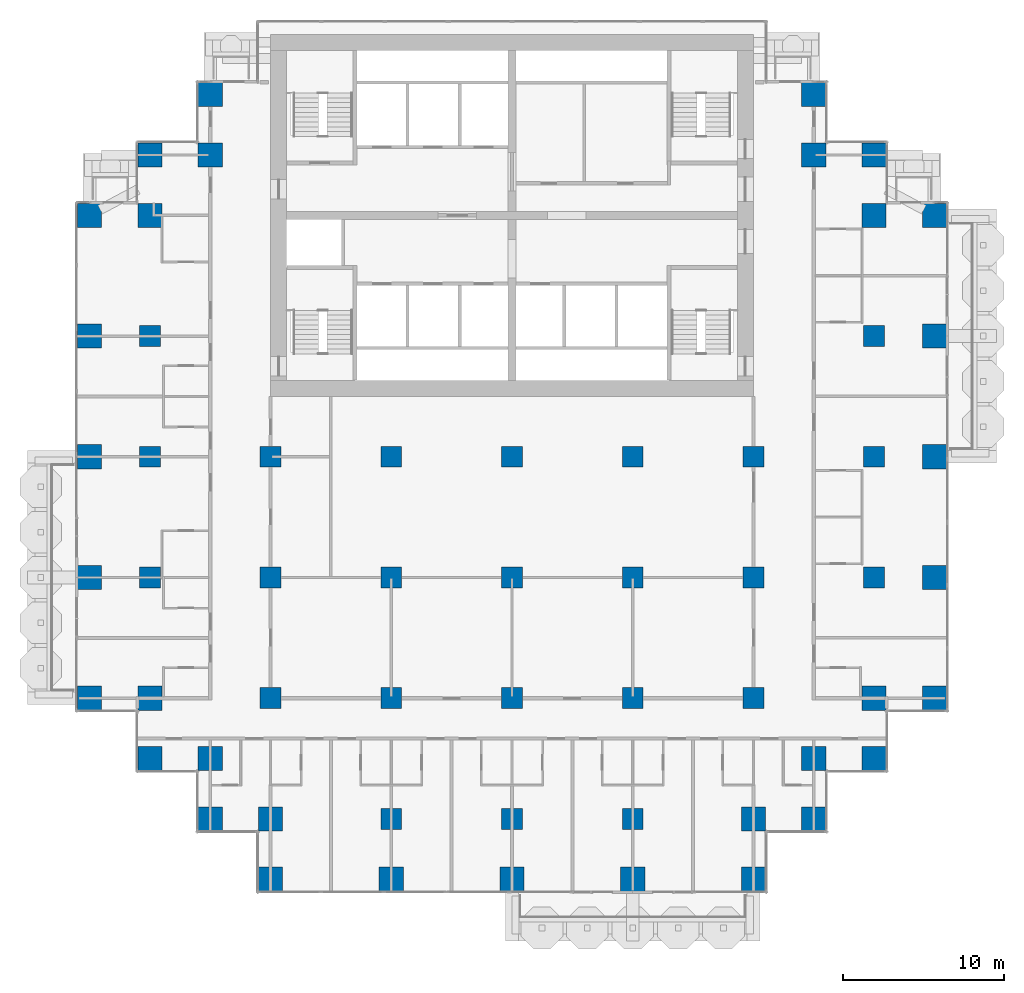
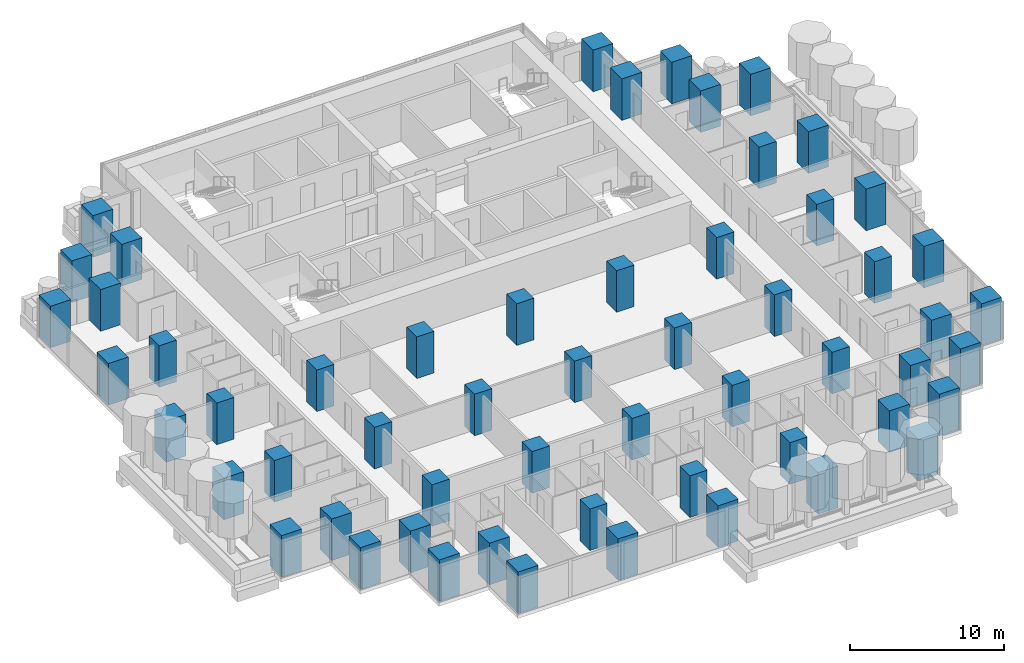
# One storey, part 1 of 19: 57 columns.
"""IFC4 building model written with IfcOpenShell, lengths in metres."""

from ifc_helpers import new_model, si_unit, direction, frame, origin, origin_2d, place, context, subcontext, project, spatial, rectangle, extrude, material, material_profile, profile_set, type_object, element, save


model = new_model("IFC4")

# Units and contexts
model_context = context("Model", 3, precision=1e-05, world=origin(), true_north=direction((0.0, 1.0)))
body_context = subcontext(model_context, "Body", "Model", "MODEL_VIEW")
ifc_project = project(units=[si_unit("LENGTHUNIT", "METRE"), si_unit("AREAUNIT", "SQUARE_METRE"), si_unit("VOLUMEUNIT", "CUBIC_METRE"), si_unit("PLANEANGLEUNIT", "RADIAN"), si_unit("MASSUNIT", "GRAM", prefix="KILO")], contexts=[model_context])

# Site, building, storey
site_placement = place(None, origin())
site = spatial("IfcSite", under=ifc_project, at=site_placement, CompositionType="ELEMENT")
building_placement = place(site_placement, origin())
building = spatial("IfcBuilding", under=site, at=building_placement, Name="Pilkhan Gate Tower", CompositionType="ELEMENT")
storey_placement = place(building_placement, frame((0.0, 0.0, 65.89990234375)))
storey = spatial("IfcBuildingStorey", under=building, at=storey_placement, Name="L14", CompositionType="ELEMENT", Elevation=65.89990234375)

# Columns
ifc_material = material(Name="Concrete C70/85", Category="concrete")
ifc_material_profile_1 = material_profile(ifc_material, rectangle(XDim=1.300048828125, YDim=1.300048828125, at=origin_2d()), Name="RC 1300x1300")
ifc_profile_set_1 = profile_set([ifc_material_profile_1], Name="Concrete C70/85")
column_type_1 = type_object("IfcColumnType", Name="Column C130 RC 1300x1300 C70/85", PredefinedType="COLUMN", material=ifc_profile_set_1)
for number, where, z_axis, x_axis, name in (
    (1, (52.5, 60.0, 0.0), (0.0, 0.0, 1.0), (1.0, 0.0, 0.0), "Column 5/F L14"),
    (2, (52.5, 67.5, 0.0), (0.0, 0.0, 1.0), (1.0, 0.0, 0.0), "Column 5/H L14"),
    (3, (52.5, 75.0, 0.0), (0.0, 0.0, 1.0), (1.0, 0.0, 0.0), "Column 5/K L14"),
    (4, (60.0, 52.5, 0.0), (0.0, 0.0, 1.0), (1.0, 0.0, 0.0), "Column 7/D L14"),
    (5, (60.0, 60.0, 0.0), (0.0, 0.0, 1.0), (1.0, 0.0, 0.0), "Column 7/F L14"),
    (6, (60.0, 67.5, 0.0), (0.0, 0.0, 1.0), (1.0, 0.0, 0.0), "Column 7/H L14"),
    (7, (67.5, 45.0, 0.0), (0.0, 0.0, 1.0), (1.0, 0.0, 0.0), "Column 9/B L14"),
    (8, (67.5, 52.5, 0.0), (0.0, 0.0, 1.0), (1.0, 0.0, 0.0), "Column 9/D L14"),
    (9, (67.5, 60.0, 0.0), (0.0, 0.0, 1.0), (1.0, 0.0, 0.0), "Column 9/F L14"),
    (10, (67.5, 67.5, 0.0), (0.0, 0.0, 1.0), (1.0, 0.0, 0.0), "Column 9/H L14"),
    (11, (75.0, 45.0, 0.0), (0.0, 0.0, 1.0), (1.0, 0.0, 0.0), "Column 11/B L14"),
    (12, (75.0, 52.5, 0.0), (0.0, 0.0, 1.0), (1.0, 0.0, 0.0), "Column 11/D L14"),
    (13, (75.0, 60.0, 0.0), (0.0, 0.0, 1.0), (1.0, 0.0, 0.0), "Column 11/F L14"),
    (14, (75.0, 67.5, 0.0), (0.0, 0.0, 1.0), (1.0, 0.0, 0.0), "Column 11/H L14"),
    (15, (82.5, 45.0, 0.0), (0.0, 0.0, 1.0), (1.0, 0.0, 0.0), "Column 13/B L14"),
    (16, (82.5, 52.5, 0.0), (0.0, 0.0, 1.0), (1.0, 0.0, 0.0), "Column 13/D L14"),
    (17, (82.5, 60.0, 0.0), (0.0, 0.0, 1.0), (1.0, 0.0, 0.0), "Column 13/F L14"),
    (18, (82.5, 67.5, 0.0), (0.0, 0.0, 1.0), (1.0, 0.0, 0.0), "Column 13/H L14"),
    (19, (90.0, 52.5, 0.0), (0.0, 0.0, 1.0), (1.0, 0.0, 0.0), "Column 15/D L14"),
    (20, (90.0, 60.0, 0.0), (0.0, 0.0, 1.0), (1.0, 0.0, 0.0), "Column 15/F L14"),
    (21, (90.0, 67.5, 0.0), (0.0, 0.0, 1.0), (1.0, 0.0, 0.0), "Column 15/H L14"),
    (22, (97.5, 60.0, 0.0), (0.0, 0.0, 1.0), (1.0, 0.0, 0.0), "Column 17/F L14"),
    (23, (97.5, 67.5, 0.0), (0.0, 0.0, 1.0), (1.0, 0.0, 0.0), "Column 17/H L14"),
    (24, (97.5, 75.0, 0.0), (0.0, 0.0, 1.0), (1.0, 0.0, 0.0), "Column 17/K L14"),
):
    element("IfcColumn", number, at=place(storey_placement, frame(where, z_axis=z_axis, x_axis=x_axis)), inside=storey, type_object=column_type_1, Name=name, PredefinedType="COLUMN", context=body_context, shape_type="SweptSolid", body=[
        extrude(rectangle(XDim=1.300048828125, YDim=1.300048828125, at=origin_2d()), origin(), (0.0, 0.0, 1.0), 3.300048828125),
    ])
ifc_material_profile_2 = material_profile(ifc_material, rectangle(XDim=1.5, YDim=1.5, at=origin_2d()), Name="RC 1500x1500")
ifc_profile_set_2 = profile_set([ifc_material_profile_2], Name="Concrete C70/85")
column_type_2 = type_object("IfcColumnType", Name="Column C150 RC 1500x1500 C70/85", PredefinedType="COLUMN", material=ifc_profile_set_2)
for number, where, z_axis, x_axis, name in (
    (25, (48.75, 52.5, 0.0), (0.0, 0.0, 1.0), (1.0, 0.0, 0.0), "Column 4/D L14"),
    (26, (48.75, 60.0, 0.0), (0.0, 0.0, 1.0), (1.0, 0.0, 0.0), "Column 4/F L14"),
    (27, (48.75, 67.5, 0.0), (0.0, 0.0, 1.0), (1.0, 0.0, 0.0), "Column 4/H L14"),
    (28, (48.75, 75.0, 0.0), (0.0, 0.0, 1.0), (1.0, 0.0, 0.0), "Column 4/K L14"),
    (29, (48.75, 82.5, 0.0), (0.0, 0.0, 1.0), (1.0, 0.0, 0.0), "Column 4/M L14"),
    (30, (52.5, 48.75, 0.0), (0.0, 0.0, 1.0), (1.0, 0.0, 0.0), "Column 5/C L14"),
    (31, (52.5, 52.5, 0.0), (0.0, 0.0, 1.0), (1.0, 0.0, 0.0), "Column 5/D L14"),
    (32, (52.5, 82.5, 0.0), (0.0, 0.0, 1.0), (1.0, 0.0, 0.0), "Column 5/M L14"),
    (33, (52.5, 86.25, 0.0), (0.0, 0.0, 1.0), (1.0, 0.0, 0.0), "Column 5/N L14"),
    (34, (56.25, 45.0, 0.0), (0.0, 0.0, 1.0), (1.0, 0.0, 0.0), "Column 6/B L14"),
    (35, (56.25, 48.75, 0.0), (0.0, 0.0, 1.0), (1.0, 0.0, 0.0), "Column 6/C L14"),
    (36, (56.25, 86.25, 0.0), (0.0, 0.0, 1.0), (1.0, 0.0, 0.0), "Column 6/N L14"),
    (37, (56.25, 90.0, 0.0), (0.0, 0.0, 1.0), (1.0, 0.0, 0.0), "Column 6/P L14"),
    (38, (60.0, 41.25, 0.0), (0.0, 0.0, 1.0), (1.0, 0.0, 0.0), "Column 7/A L14"),
    (39, (60.0, 45.0, 0.0), (0.0, 0.0, 1.0), (1.0, 0.0, 0.0), "Column 7/B L14"),
    (40, (67.5, 41.25, 0.0), (0.0, 0.0, 1.0), (1.0, 0.0, 0.0), "Column 9/A L14"),
    (41, (75.0, 41.25, 0.0), (0.0, 0.0, 1.0), (1.0, 0.0, 0.0), "Column 11/A L14"),
    (42, (82.5, 41.25, 0.0), (0.0, 0.0, 1.0), (1.0, 0.0, 0.0), "Column 13/A L14"),
    (43, (90.0, 41.25, 0.0), (0.0, 0.0, 1.0), (1.0, 0.0, 0.0), "Column 15/A L14"),
    (44, (90.0, 45.0, 0.0), (0.0, 0.0, 1.0), (1.0, 0.0, 0.0), "Column 15/B L14"),
    (45, (93.75, 45.0, 0.0), (0.0, 0.0, 1.0), (1.0, 0.0, 0.0), "Column 16/B L14"),
    (46, (93.75, 48.75, 0.0), (0.0, 0.0, 1.0), (1.0, 0.0, 0.0), "Column 16/C L14"),
    (47, (93.75, 86.25, 0.0), (0.0, 0.0, 1.0), (1.0, 0.0, 0.0), "Column 16/N L14"),
    (48, (93.75, 90.0, 0.0), (0.0, 0.0, 1.0), (1.0, 0.0, 0.0), "Column 16/P L14"),
    (49, (97.5, 48.75, 0.0), (0.0, 0.0, 1.0), (1.0, 0.0, 0.0), "Column 17/C L14"),
    (50, (97.5, 52.5, 0.0), (0.0, 0.0, 1.0), (1.0, 0.0, 0.0), "Column 17/D L14"),
    (51, (97.5, 82.5, 0.0), (0.0, 0.0, 1.0), (1.0, 0.0, 0.0), "Column 17/M L14"),
    (52, (97.5, 86.25, 0.0), (0.0, 0.0, 1.0), (1.0, 0.0, 0.0), "Column 17/N L14"),
    (53, (101.25, 52.5, 0.0), (0.0, 0.0, 1.0), (1.0, 0.0, 0.0), "Column 18/D L14"),
    (54, (101.25, 60.0, 0.0), (0.0, 0.0, 1.0), (1.0, 0.0, 0.0), "Column 18/F L14"),
    (55, (101.25, 67.5, 0.0), (0.0, 0.0, 1.0), (1.0, 0.0, 0.0), "Column 18/H L14"),
    (56, (101.25, 75.0, 0.0), (0.0, 0.0, 1.0), (1.0, 0.0, 0.0), "Column 18/K L14"),
    (57, (101.25, 82.5, 0.0), (0.0, 0.0, 1.0), (1.0, 0.0, 0.0), "Column 18/M L14"),
):
    element("IfcColumn", number, at=place(storey_placement, frame(where, z_axis=z_axis, x_axis=x_axis)), inside=storey, type_object=column_type_2, Name=name, PredefinedType="COLUMN", context=body_context, shape_type="SweptSolid", body=[
        extrude(rectangle(XDim=1.5, YDim=1.5, at=origin_2d()), origin(), (0.0, 0.0, 1.0), 3.300048828125),
    ])

save(model, "model.ifc")
